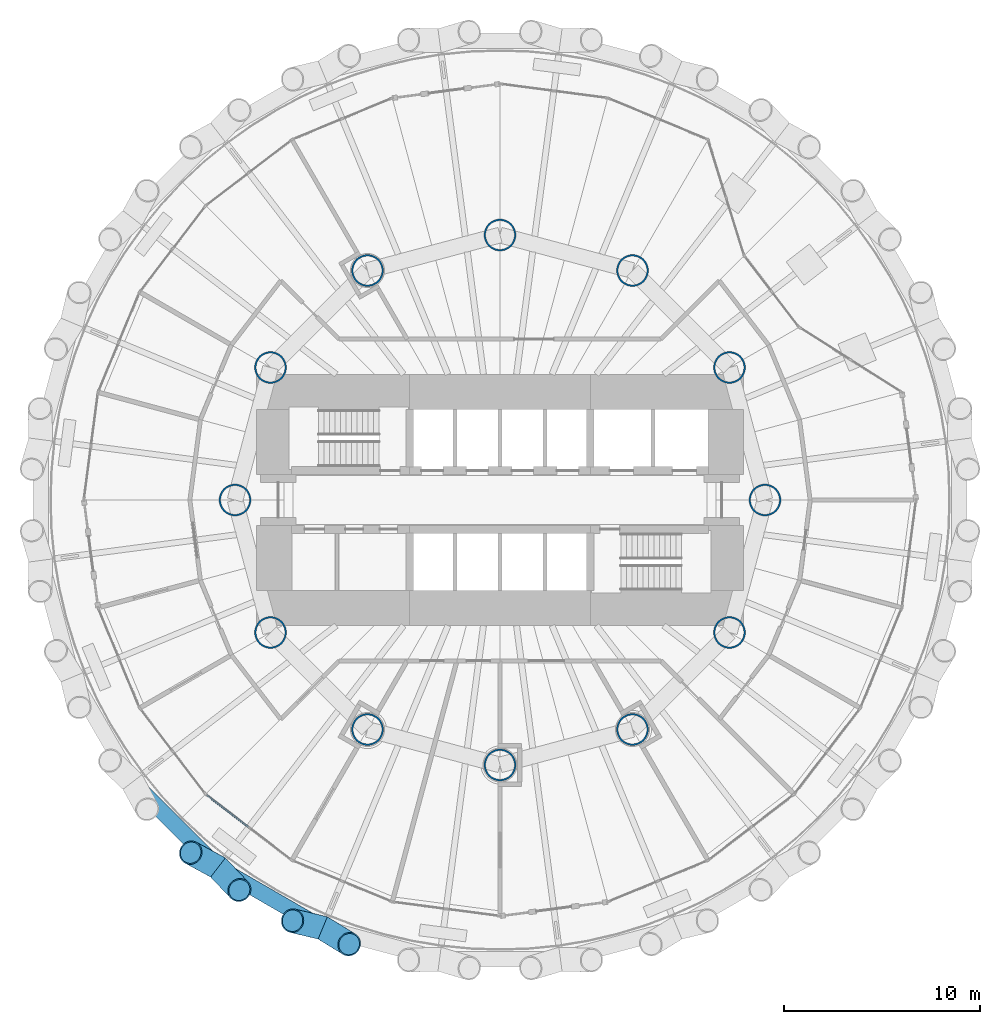
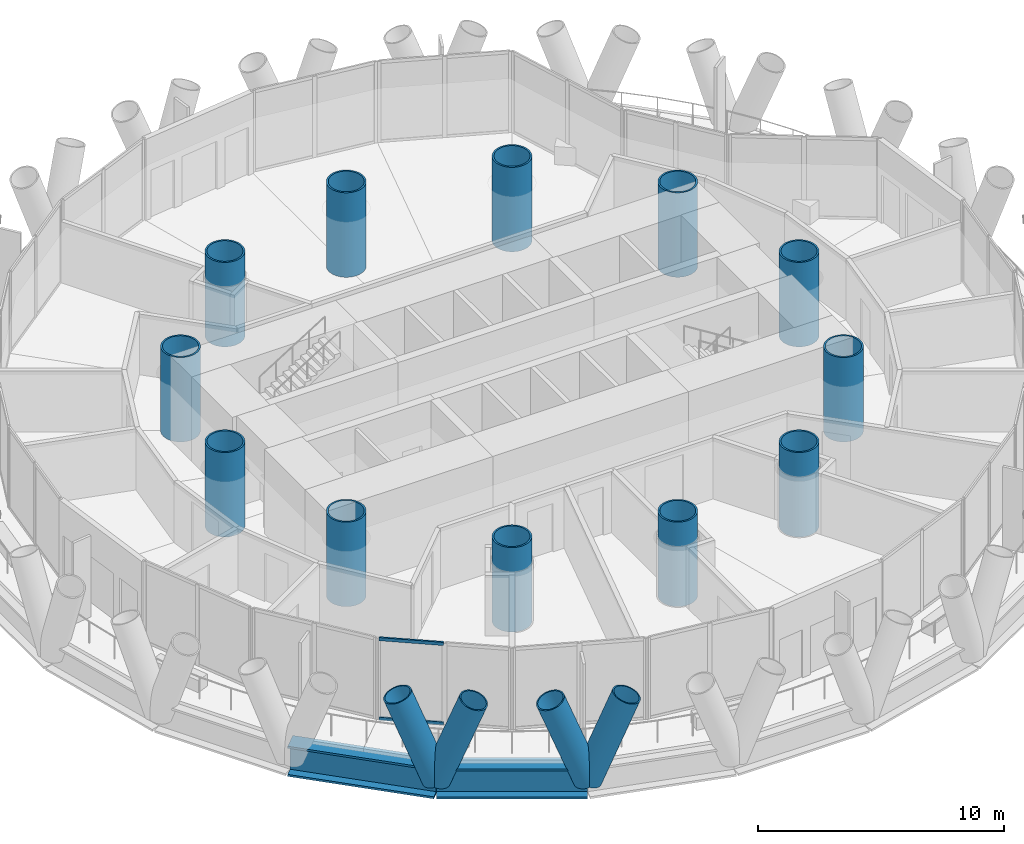
# One storey, part 1 of 15: 12 columns, 6 members, 2 beams, 1 element without a shape of its own.
"""IFC4 building model written with IfcOpenShell, lengths in metres."""

from ifc_helpers import new_model, si_unit, direction, frame, origin, origin_2d, place, context, subcontext, project, spatial, rectangle, hollow_circle, i_section, extrude, material, material_profile, profile_set, type_object, element, aggregate, save


model = new_model("IFC4")

# Units and contexts
model_context = context("Model", 3, precision=1e-05, world=origin(), true_north=direction((0.0, 1.0)))
body_context = subcontext(model_context, "Body", "Model", "MODEL_VIEW")
ifc_project = project(units=[si_unit("LENGTHUNIT", "METRE"), si_unit("AREAUNIT", "SQUARE_METRE"), si_unit("VOLUMEUNIT", "CUBIC_METRE"), si_unit("PLANEANGLEUNIT", "RADIAN"), si_unit("MASSUNIT", "GRAM", prefix="KILO")], contexts=[model_context])

# Site, building, storey
site_placement = place(None, origin())
site = spatial("IfcSite", under=ifc_project, at=site_placement, CompositionType="ELEMENT")
building_placement = place(site_placement, origin())
building = spatial("IfcBuilding", under=site, at=building_placement, Name="Qaws Media Tower", CompositionType="ELEMENT")
storey_placement = place(building_placement, frame((0.0, 0.0, 34.39990234375)))
storey = spatial("IfcBuildingStorey", under=building, at=storey_placement, Name="L06", CompositionType="ELEMENT", Elevation=34.39990234375)

# Columns
ifc_material_1 = material(Name="Steel S460", Category="steel")
ifc_material_profile_1 = material_profile(ifc_material_1, hollow_circle(Radius=0.81298828125, WallThickness=0.080078125, at=origin_2d()), Name="CHS 1626x80")
ifc_profile_set_1 = profile_set([ifc_material_profile_1], Name="Steel S460")
column_type = type_object("IfcColumnType", Name="Inner column CHS 1626x80", PredefinedType="COLUMN", material=ifc_profile_set_1)
for number, where, z_axis, x_axis, name in (
    (1, (73.5, 50.0, 0.0), (0.0, 0.0, 1.0), (1.0, 0.0, 0.0), "C6 inner column I01 L06"),
    (2, (71.69140625, 56.75, 0.0), (0.0, 0.0, 1.0), (1.0, 0.0, 0.0), "C6 inner column I02 L06"),
    (3, (66.75, 61.69140625, 0.0), (0.0, 0.0, 1.0), (1.0, 0.0, 0.0), "C6 inner column I03 L06"),
    (4, (60.0, 63.5, 0.0), (0.0, 0.0, 1.0), (1.0, 0.0, 0.0), "C6 inner column I04 L06"),
    (5, (53.25, 61.69140625, 0.0), (0.0, 0.0, 1.0), (1.0, 0.0, 0.0), "C6 inner column I05 L06"),
    (6, (48.30859375, 56.75, 0.0), (0.0, 0.0, 1.0), (1.0, 0.0, 0.0), "C6 inner column I06 L06"),
    (7, (46.5, 50.0, 0.0), (0.0, 0.0, 1.0), (1.0, 0.0, 0.0), "C6 inner column I07 L06"),
    (8, (48.30859375, 43.25, 0.0), (0.0, 0.0, 1.0), (1.0, 0.0, 0.0), "C6 inner column I08 L06"),
    (9, (53.25, 38.30859375, 0.0), (0.0, 0.0, 1.0), (1.0, 0.0, 0.0), "C6 inner column I09 L06"),
    (10, (60.0, 36.5, 0.0), (0.0, 0.0, 1.0), (1.0, 0.0, 0.0), "C6 inner column I10 L06"),
    (11, (66.75, 38.30859375, 0.0), (0.0, 0.0, 1.0), (1.0, 0.0, 0.0), "C6 inner column I11 L06"),
    (12, (71.69140625, 43.25, 0.0), (0.0, 0.0, 1.0), (1.0, 0.0, 0.0), "C6 inner column I12 L06"),
):
    element("IfcColumn", number, at=place(storey_placement, frame(where, z_axis=z_axis, x_axis=x_axis)), inside=storey, type_object=column_type, Name=name, PredefinedType="COLUMN", context=body_context, shape_type="SweptSolid", body=[
        extrude(hollow_circle(Radius=0.81298828125, WallThickness=0.080078125, at=origin_2d()), origin(), (0.0, 0.0, 1.0), 4.2001953125),
    ])

# Curtain wall, members
ifc_material_2 = material(Name="Aluminium and clear glass", Category="aluminium")
curtain_wall_type = type_object("IfcCurtainWallType", Name="Unitised curtain wall CW-A", PredefinedType="NOTDEFINED", material=ifc_material_2)
curtain_wall_placement = place(storey_placement, origin())
curtain_wall = element("IfcCurtainWall", 13, at=curtain_wall_placement, inside=storey, type_object=curtain_wall_type, Name="CWA curtain wall L06-16", PredefinedType="NOTDEFINED")
ifc_material_3 = material(Name="Aluminium transom", Category="aluminium")
ifc_material_profile_2 = material_profile(ifc_material_3, rectangle(XDim=0.080078125, YDim=0.159912109375, at=origin_2d()), Name="80x160")
ifc_profile_set_2 = profile_set([ifc_material_profile_2], Name="Aluminium transom")
member_type_1 = type_object("IfcMemberType", Name="Curtain wall transom 80x160", PredefinedType="USERDEFINED", material=ifc_profile_set_2)
member_1_placement = place(storey_placement, frame((45.07275390625, 34.960693359375, 0.0400390625), z_axis=(0.793333151209, -0.608787739029, 0.0), x_axis=(0.608787739029, 0.793333151209, 0.0)))
member_1 = element("IfcMember", 14, at=member_1_placement, type_object=member_type_1, Name="CWA transom 1.1", ObjectType="TRANSOM", PredefinedType="USERDEFINED", context=body_context, shape_type="SweptSolid", body=[
    extrude(rectangle(XDim=0.080078125, YDim=0.159912109375, at=origin_2d()), origin(), (0.0, 0.0, 1.0), 2.647216796875),
])
member_2_placement = place(storey_placement, frame((45.07275390625, 34.960693359375, 4.0), z_axis=(0.793333151209, -0.608787739029, 0.0), x_axis=(0.608787739029, 0.793333151209, 0.0)))
member_2 = element("IfcMember", 15, at=member_2_placement, type_object=member_type_1, Name="CWA transom 1.2", ObjectType="TRANSOM", PredefinedType="USERDEFINED", context=body_context, shape_type="SweptSolid", body=[
    extrude(rectangle(XDim=0.080078125, YDim=0.159912109375, at=origin_2d()), origin(), (0.0, 0.0, 1.0), 2.647216796875),
])
aggregate(curtain_wall, [member_1, member_2])

# Members
ifc_material_4 = material(Name="Steel S460", Category="steel")
ifc_material_profile_3 = material_profile(ifc_material_4, hollow_circle(Radius=0.609619140625, WallThickness=0.06005859375, at=origin_2d()), Name="CHS 1219x60")
ifc_profile_set_3 = profile_set([ifc_material_profile_3], Name="Steel S460")
member_type_2 = type_object("IfcMemberType", Name="Diagrid member CHS 1219x60", PredefinedType="USERDEFINED", material=ifc_profile_set_3)
for number, where, z_axis, x_axis, name in (
    (16, (45.63330078125, 31.27685546875, -0.909912109375), (0.24254755553, -0.255983134408, 0.935758151557), (0.725899989111, 0.687800265926, 0.0), "DG1 diagrid L06 A16"),
    (17, (45.63330078125, 31.27685546875, -0.909912109375), (-0.310050534086, 0.168025631543, 0.935754269805), (-0.476462021182, -0.879195053655, 0.0), "DG1 diagrid L06 B16"),
    (18, (50.96875, 28.196533203125, -0.909912109375), (0.300531719733, -0.184507437707, 0.935755144717), (0.523202112796, 0.85220863007, 0.0), "DG1 diagrid L06 A17"),
    (19, (50.96875, 28.196533203125, -0.909912109375), (-0.343009853976, 0.082026460481, 0.935743501103), (-0.232579556178, -0.972577374839, 0.0), "DG1 diagrid L06 B17"),
):
    element("IfcMember", number, at=place(storey_placement, frame(where, z_axis=z_axis, x_axis=x_axis)), inside=storey, type_object=member_type_2, Name=name, ObjectType="DIAGRID", PredefinedType="USERDEFINED", context=body_context, shape_type="SweptSolid", body=[
        extrude(hollow_circle(Radius=0.609619140625, WallThickness=0.06005859375, at=origin_2d()), origin(), (0.0, 0.0, 1.0), 4.48828125),
    ])

# Beams
ifc_material_5 = material(Name="Steel S460", Category="steel")
ifc_material_profile_4 = material_profile(ifc_material_5, i_section(OverallWidth=0.800048828125, OverallDepth=1.5, WebThickness=0.0400390625, FlangeThickness=0.10009765625, at=origin_2d()), Name="PG 1500x800")
ifc_profile_set_4 = profile_set([ifc_material_profile_4], Name="Steel S460")
beam_type = type_object("IfcBeamType", Name="Edge ring beam PG 1500x800", PredefinedType="BEAM", material=ifc_profile_set_4)
for number, where, z_axis, x_axis, name in (
    (20, (41.27685546875, 35.63330078125, -0.909912109375), (0.707106781187, -0.707106781187, 0.0), (0.707106781187, 0.707106781187, 0.0), "RB7 edge ring beam L06-15"),
    (21, (45.63330078125, 31.27685546875, -0.909912109375), (0.866032486833, -0.499987731599, 0.0), (0.499987731599, 0.866032486833, 0.0), "RB7 edge ring beam L06-16"),
):
    element("IfcBeam", number, at=place(storey_placement, frame(where, z_axis=z_axis, x_axis=x_axis)), inside=storey, type_object=beam_type, Name=name, PredefinedType="BEAM", context=body_context, shape_type="SweptSolid", body=[
        extrude(i_section(OverallWidth=0.800048828125, OverallDepth=1.5, WebThickness=0.0400390625, FlangeThickness=0.10009765625, at=origin_2d()), origin(), (0.0, 0.0, 1.0), 6.160888671875),
    ])

save(model, "model.ifc")
